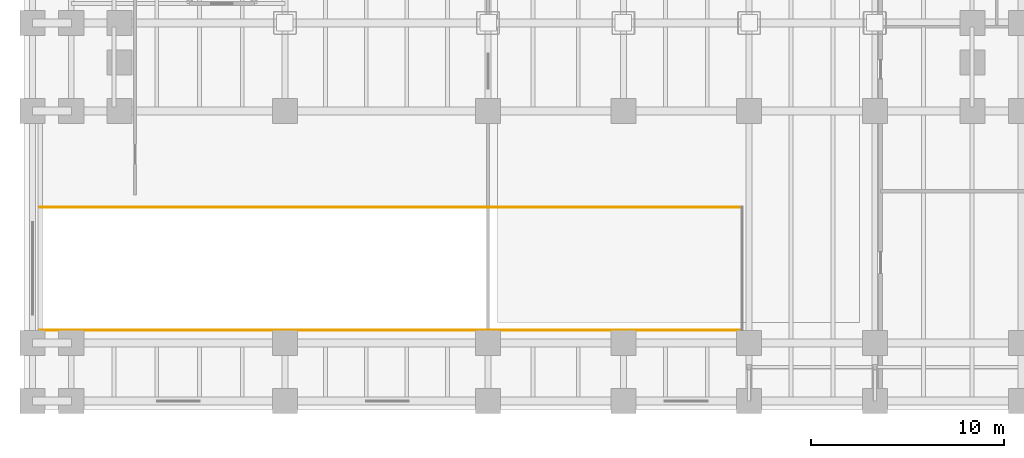
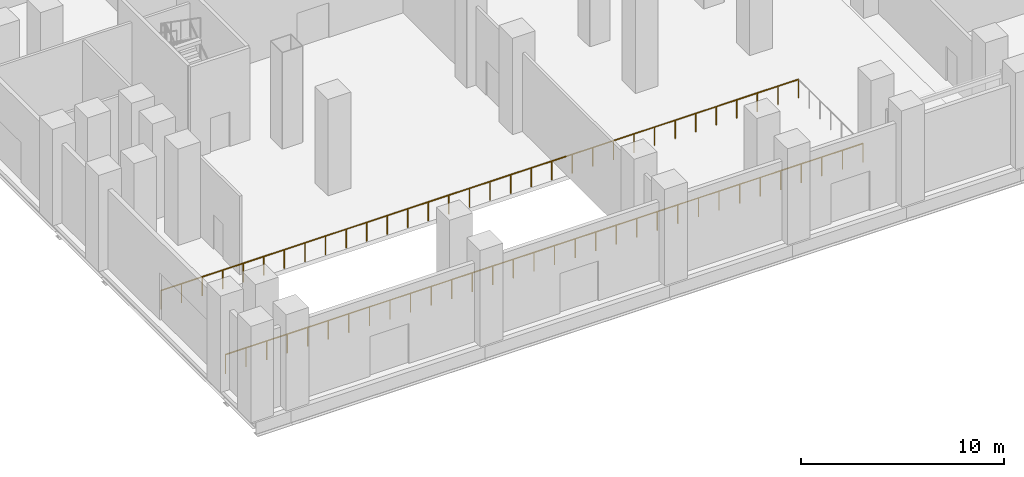
# One storey, part 27 of 36: 2 railings.
"""IFC4 building model written with IfcOpenShell, lengths in metres."""

from ifc_helpers import new_model, si_unit, direction, frame, origin, origin_2d, place, context, subcontext, project, spatial, circle, extrude, material, layer, layer_set, type_object, element, save


model = new_model("IFC4")

# Units and contexts
model_context = context("Model", 3, precision=1e-05, world=origin(), true_north=direction((0.0, 1.0)))
body_context = subcontext(model_context, "Body", "Model", "MODEL_VIEW")
ifc_project = project(units=[si_unit("LENGTHUNIT", "METRE"), si_unit("AREAUNIT", "SQUARE_METRE"), si_unit("VOLUMEUNIT", "CUBIC_METRE"), si_unit("PLANEANGLEUNIT", "RADIAN"), si_unit("MASSUNIT", "GRAM", prefix="KILO")], contexts=[model_context])

# Site, building, storey
site_placement = place(None, origin())
site = spatial("IfcSite", under=ifc_project, at=site_placement, CompositionType="ELEMENT")
building_placement = place(site_placement, origin())
building = spatial("IfcBuilding", under=site, at=building_placement, Name="Noeulbin Bourse Tower", CompositionType="ELEMENT")
storey_placement = place(building_placement, origin())
storey = spatial("IfcBuildingStorey", under=building, at=storey_placement, Name="L01", CompositionType="ELEMENT", Elevation=0.0)

# Railings
ifc_material = material(Name="Galvanised Tubular Steel S355", Category="steel")
ifc_layer = layer(ifc_material, 0.06005859375)
ifc_layer_set = layer_set([ifc_layer], Name="Galvanised Tubular Steel S355")
railing_type = type_object("IfcRailingType", Name="RLG-RMP-1100", PredefinedType="GUARDRAIL", material=ifc_layer_set)
railing_1_placement = place(storey_placement, frame((0.85009765625, 4.1201171875, 0.0)))
element("IfcRailing", 1, at=railing_1_placement, inside=storey, type_object=railing_type, Name="Ramp Portal South Guardrail GD-R11-S", PredefinedType="GUARDRAIL", context=body_context, shape_type="SweptSolid", body=[
    extrude(circle(Radius=0.02392578125, at=origin_2d()), frame((0.0, 0.0, 1.1259765625), z_axis=(1.0, 0.0, 0.0), x_axis=(0.0, 1.0, 0.0)), (0.0, 0.0, 1.0), 36.2998046875),
    extrude(circle(Radius=0.02099609375, at=origin_2d()), origin(), (0.0, 0.0, 1.0), 1.101806640625),
    extrude(circle(Radius=0.02099609375, at=origin_2d()), frame((1.1708984375, 0.0, 0.0)), (0.0, 0.0, 1.0), 1.101806640625),
    extrude(circle(Radius=0.02099609375, at=origin_2d()), frame((2.342041015625, 0.0, 0.0)), (0.0, 0.0, 1.0), 1.101806640625),
    extrude(circle(Radius=0.02099609375, at=origin_2d()), frame((3.512939453125, 0.0, 0.0)), (0.0, 0.0, 1.0), 1.101806640625),
    extrude(circle(Radius=0.02099609375, at=origin_2d()), frame((4.683837890625, 0.0, 0.0)), (0.0, 0.0, 1.0), 1.101806640625),
    extrude(circle(Radius=0.02099609375, at=origin_2d()), frame((5.854736328125, 0.0, 0.0)), (0.0, 0.0, 1.0), 1.101806640625),
    extrude(circle(Radius=0.02099609375, at=origin_2d()), frame((7.02587890625, 0.0, 0.0)), (0.0, 0.0, 1.0), 1.101806640625),
    extrude(circle(Radius=0.02099609375, at=origin_2d()), frame((8.19677734375, 0.0, 0.0)), (0.0, 0.0, 1.0), 1.101806640625),
    extrude(circle(Radius=0.02099609375, at=origin_2d()), frame((9.36767578125, 0.0, 0.0)), (0.0, 0.0, 1.0), 1.101806640625),
    extrude(circle(Radius=0.02099609375, at=origin_2d()), frame((10.53857421875, 0.0, 0.0)), (0.0, 0.0, 1.0), 1.101806640625),
    extrude(circle(Radius=0.02099609375, at=origin_2d()), frame((11.709716796875, 0.0, 0.0)), (0.0, 0.0, 1.0), 1.101806640625),
    extrude(circle(Radius=0.02099609375, at=origin_2d()), frame((12.880615234375, 0.0, 0.0)), (0.0, 0.0, 1.0), 1.101806640625),
    extrude(circle(Radius=0.02099609375, at=origin_2d()), frame((14.051513671875, 0.0, 0.0)), (0.0, 0.0, 1.0), 1.101806640625),
    extrude(circle(Radius=0.02099609375, at=origin_2d()), frame((15.222412109375, 0.0, 0.0)), (0.0, 0.0, 1.0), 1.101806640625),
    extrude(circle(Radius=0.02099609375, at=origin_2d()), frame((16.3935546875, 0.0, 0.0)), (0.0, 0.0, 1.0), 1.101806640625),
    extrude(circle(Radius=0.02099609375, at=origin_2d()), frame((17.564453125, 0.0, 0.0)), (0.0, 0.0, 1.0), 1.101806640625),
    extrude(circle(Radius=0.02099609375, at=origin_2d()), frame((18.7353515625, 0.0, 0.0)), (0.0, 0.0, 1.0), 1.101806640625),
    extrude(circle(Radius=0.02099609375, at=origin_2d()), frame((19.90625, 0.0, 0.0)), (0.0, 0.0, 1.0), 1.101806640625),
    extrude(circle(Radius=0.02099609375, at=origin_2d()), frame((21.077392578125, 0.0, 0.0)), (0.0, 0.0, 1.0), 1.101806640625),
    extrude(circle(Radius=0.02099609375, at=origin_2d()), frame((22.248291015625, 0.0, 0.0)), (0.0, 0.0, 1.0), 1.101806640625),
    extrude(circle(Radius=0.02099609375, at=origin_2d()), frame((23.419189453125, 0.0, 0.0)), (0.0, 0.0, 1.0), 1.101806640625),
    extrude(circle(Radius=0.02099609375, at=origin_2d()), frame((24.590087890625, 0.0, 0.0)), (0.0, 0.0, 1.0), 1.101806640625),
    extrude(circle(Radius=0.02099609375, at=origin_2d()), frame((25.76123046875, 0.0, 0.0)), (0.0, 0.0, 1.0), 1.101806640625),
    extrude(circle(Radius=0.02099609375, at=origin_2d()), frame((26.93212890625, 0.0, 0.0)), (0.0, 0.0, 1.0), 1.101806640625),
    extrude(circle(Radius=0.02099609375, at=origin_2d()), frame((28.10302734375, 0.0, 0.0)), (0.0, 0.0, 1.0), 1.101806640625),
    extrude(circle(Radius=0.02099609375, at=origin_2d()), frame((29.27392578125, 0.0, 0.0)), (0.0, 0.0, 1.0), 1.101806640625),
    extrude(circle(Radius=0.02099609375, at=origin_2d()), frame((30.445068359375, 0.0, 0.0)), (0.0, 0.0, 1.0), 1.101806640625),
    extrude(circle(Radius=0.02099609375, at=origin_2d()), frame((31.615966796875, 0.0, 0.0)), (0.0, 0.0, 1.0), 1.101806640625),
    extrude(circle(Radius=0.02099609375, at=origin_2d()), frame((32.786865234375, 0.0, 0.0)), (0.0, 0.0, 1.0), 1.101806640625),
    extrude(circle(Radius=0.02099609375, at=origin_2d()), frame((33.957763671875, 0.0, 0.0)), (0.0, 0.0, 1.0), 1.101806640625),
    extrude(circle(Radius=0.02099609375, at=origin_2d()), frame((35.12890625, 0.0, 0.0)), (0.0, 0.0, 1.0), 1.101806640625),
    extrude(circle(Radius=0.02099609375, at=origin_2d()), frame((36.2998046875, 0.0, 0.0)), (0.0, 0.0, 1.0), 1.101806640625),
])
railing_2_placement = place(storey_placement, frame((0.85009765625, 10.47998046875, 0.0)))
element("IfcRailing", 2, at=railing_2_placement, inside=storey, type_object=railing_type, Name="Ramp Portal North Guardrail GD-R11-N", PredefinedType="GUARDRAIL", context=body_context, shape_type="SweptSolid", body=[
    extrude(circle(Radius=0.02392578125, at=origin_2d()), frame((0.0, 0.0, 1.1259765625), z_axis=(1.0, 0.0, 0.0), x_axis=(0.0, 1.0, 0.0)), (0.0, 0.0, 1.0), 36.2998046875),
    extrude(circle(Radius=0.02099609375, at=origin_2d()), origin(), (0.0, 0.0, 1.0), 1.101806640625),
    extrude(circle(Radius=0.02099609375, at=origin_2d()), frame((1.1708984375, 0.0, 0.0)), (0.0, 0.0, 1.0), 1.101806640625),
    extrude(circle(Radius=0.02099609375, at=origin_2d()), frame((2.342041015625, 0.0, 0.0)), (0.0, 0.0, 1.0), 1.101806640625),
    extrude(circle(Radius=0.02099609375, at=origin_2d()), frame((3.512939453125, 0.0, 0.0)), (0.0, 0.0, 1.0), 1.101806640625),
    extrude(circle(Radius=0.02099609375, at=origin_2d()), frame((4.683837890625, 0.0, 0.0)), (0.0, 0.0, 1.0), 1.101806640625),
    extrude(circle(Radius=0.02099609375, at=origin_2d()), frame((5.854736328125, 0.0, 0.0)), (0.0, 0.0, 1.0), 1.101806640625),
    extrude(circle(Radius=0.02099609375, at=origin_2d()), frame((7.02587890625, 0.0, 0.0)), (0.0, 0.0, 1.0), 1.101806640625),
    extrude(circle(Radius=0.02099609375, at=origin_2d()), frame((8.19677734375, 0.0, 0.0)), (0.0, 0.0, 1.0), 1.101806640625),
    extrude(circle(Radius=0.02099609375, at=origin_2d()), frame((9.36767578125, 0.0, 0.0)), (0.0, 0.0, 1.0), 1.101806640625),
    extrude(circle(Radius=0.02099609375, at=origin_2d()), frame((10.53857421875, 0.0, 0.0)), (0.0, 0.0, 1.0), 1.101806640625),
    extrude(circle(Radius=0.02099609375, at=origin_2d()), frame((11.709716796875, 0.0, 0.0)), (0.0, 0.0, 1.0), 1.101806640625),
    extrude(circle(Radius=0.02099609375, at=origin_2d()), frame((12.880615234375, 0.0, 0.0)), (0.0, 0.0, 1.0), 1.101806640625),
    extrude(circle(Radius=0.02099609375, at=origin_2d()), frame((14.051513671875, 0.0, 0.0)), (0.0, 0.0, 1.0), 1.101806640625),
    extrude(circle(Radius=0.02099609375, at=origin_2d()), frame((15.222412109375, 0.0, 0.0)), (0.0, 0.0, 1.0), 1.101806640625),
    extrude(circle(Radius=0.02099609375, at=origin_2d()), frame((16.3935546875, 0.0, 0.0)), (0.0, 0.0, 1.0), 1.101806640625),
    extrude(circle(Radius=0.02099609375, at=origin_2d()), frame((17.564453125, 0.0, 0.0)), (0.0, 0.0, 1.0), 1.101806640625),
    extrude(circle(Radius=0.02099609375, at=origin_2d()), frame((18.7353515625, 0.0, 0.0)), (0.0, 0.0, 1.0), 1.101806640625),
    extrude(circle(Radius=0.02099609375, at=origin_2d()), frame((19.90625, 0.0, 0.0)), (0.0, 0.0, 1.0), 1.101806640625),
    extrude(circle(Radius=0.02099609375, at=origin_2d()), frame((21.077392578125, 0.0, 0.0)), (0.0, 0.0, 1.0), 1.101806640625),
    extrude(circle(Radius=0.02099609375, at=origin_2d()), frame((22.248291015625, 0.0, 0.0)), (0.0, 0.0, 1.0), 1.101806640625),
    extrude(circle(Radius=0.02099609375, at=origin_2d()), frame((23.419189453125, 0.0, 0.0)), (0.0, 0.0, 1.0), 1.101806640625),
    extrude(circle(Radius=0.02099609375, at=origin_2d()), frame((24.590087890625, 0.0, 0.0)), (0.0, 0.0, 1.0), 1.101806640625),
    extrude(circle(Radius=0.02099609375, at=origin_2d()), frame((25.76123046875, 0.0, 0.0)), (0.0, 0.0, 1.0), 1.101806640625),
    extrude(circle(Radius=0.02099609375, at=origin_2d()), frame((26.93212890625, 0.0, 0.0)), (0.0, 0.0, 1.0), 1.101806640625),
    extrude(circle(Radius=0.02099609375, at=origin_2d()), frame((28.10302734375, 0.0, 0.0)), (0.0, 0.0, 1.0), 1.101806640625),
    extrude(circle(Radius=0.02099609375, at=origin_2d()), frame((29.27392578125, 0.0, 0.0)), (0.0, 0.0, 1.0), 1.101806640625),
    extrude(circle(Radius=0.02099609375, at=origin_2d()), frame((30.445068359375, 0.0, 0.0)), (0.0, 0.0, 1.0), 1.101806640625),
    extrude(circle(Radius=0.02099609375, at=origin_2d()), frame((31.615966796875, 0.0, 0.0)), (0.0, 0.0, 1.0), 1.101806640625),
    extrude(circle(Radius=0.02099609375, at=origin_2d()), frame((32.786865234375, 0.0, 0.0)), (0.0, 0.0, 1.0), 1.101806640625),
    extrude(circle(Radius=0.02099609375, at=origin_2d()), frame((33.957763671875, 0.0, 0.0)), (0.0, 0.0, 1.0), 1.101806640625),
    extrude(circle(Radius=0.02099609375, at=origin_2d()), frame((35.12890625, 0.0, 0.0)), (0.0, 0.0, 1.0), 1.101806640625),
    extrude(circle(Radius=0.02099609375, at=origin_2d()), frame((36.2998046875, 0.0, 0.0)), (0.0, 0.0, 1.0), 1.101806640625),
])

save(model, "model.ifc")
